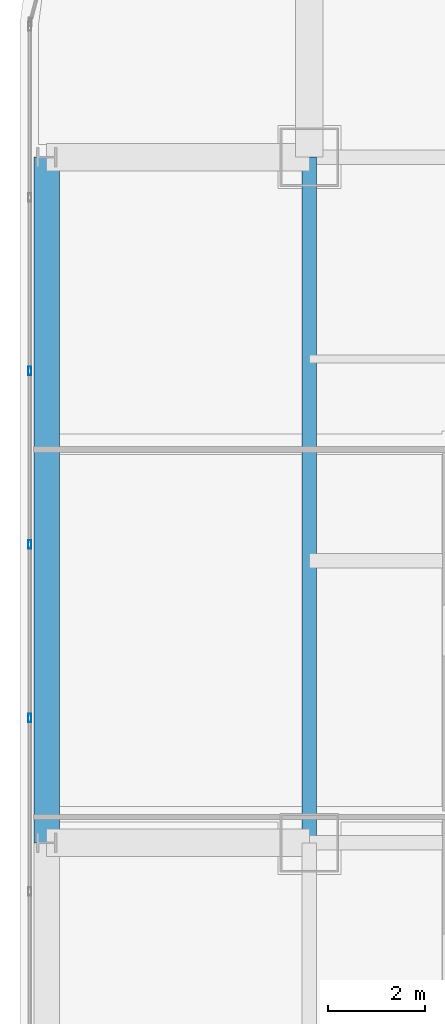
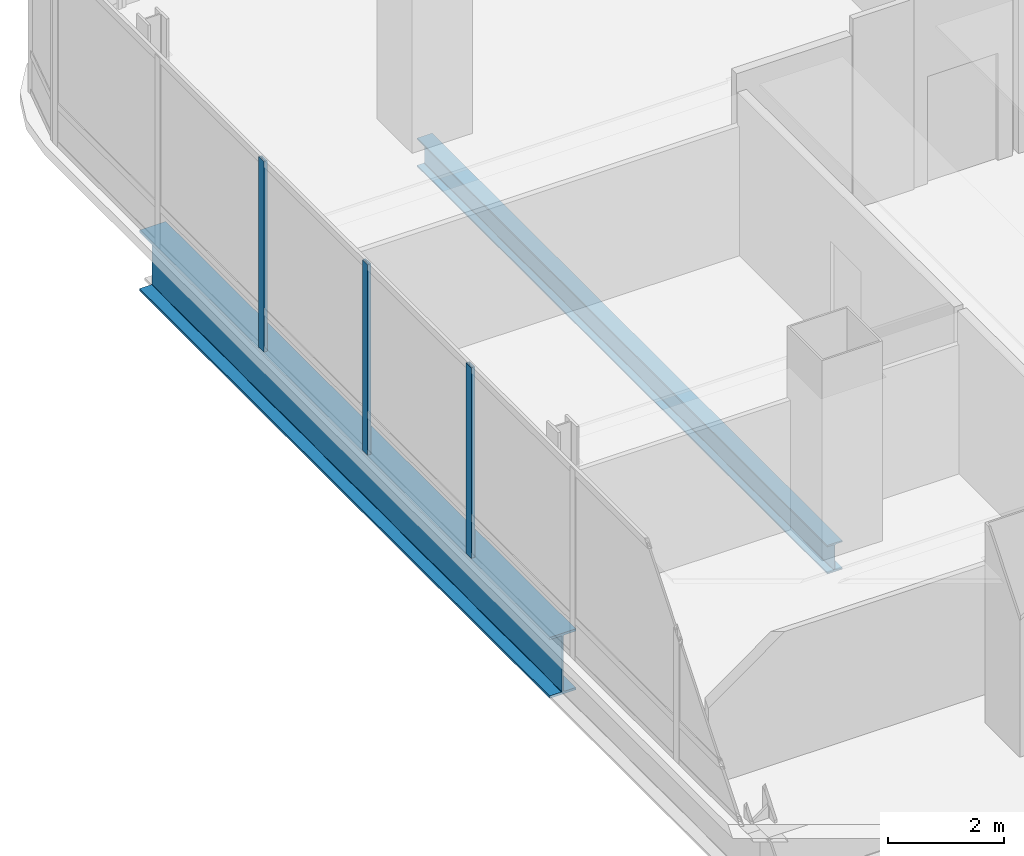
# One storey, part 13 of 42: 3 members, 2 beams, 1 element without a shape of its own.
"""IFC4 building model written with IfcOpenShell, lengths in metres."""

from ifc_helpers import new_model, si_unit, direction, frame, origin, origin_2d, place, context, subcontext, project, spatial, hollow_rectangle, i_section, extrude, material, material_profile, profile_set, type_object, element, aggregate, save


model = new_model("IFC4")

# Units and contexts
model_context = context("Model", 3, precision=1e-05, world=origin(), true_north=direction((0.0, 1.0)))
body_context = subcontext(model_context, "Body", "Model", "MODEL_VIEW")
ifc_project = project(units=[si_unit("LENGTHUNIT", "METRE"), si_unit("AREAUNIT", "SQUARE_METRE"), si_unit("VOLUMEUNIT", "CUBIC_METRE"), si_unit("PLANEANGLEUNIT", "RADIAN"), si_unit("MASSUNIT", "GRAM", prefix="KILO")], contexts=[model_context])

# Site, building, storey
site_placement = place(None, origin())
site = spatial("IfcSite", under=ifc_project, at=site_placement, CompositionType="ELEMENT")
building_placement = place(site_placement, origin())
building = spatial("IfcBuilding", under=site, at=building_placement, Name="Punatoya Terracotta Tower", CompositionType="ELEMENT")
storey_placement = place(building_placement, frame((0.0, 0.0, 296.39990234375)))
storey = spatial("IfcBuildingStorey", under=building, at=storey_placement, Name="L70", CompositionType="ELEMENT", Elevation=296.39990234375)

# Beams
ifc_material_1 = material(Name="Steel S355", Category="steel")
ifc_material_profile_1 = material_profile(ifc_material_1, i_section(OverallWidth=0.300048828125, OverallDepth=0.60009765625, WebThickness=0.015380859375, FlangeThickness=0.030029296875, FilletRadius=0.01806640625, at=origin_2d()))
ifc_profile_set_1 = profile_set([ifc_material_profile_1], Name="Steel S355")
beam_type_1 = type_object("IfcBeamType", Name="BM-PRI-600", PredefinedType="BEAM", material=ifc_profile_set_1)
beam_1_placement = place(storey_placement, frame((-19.10009765625, 3.39990234375, -0.5), z_axis=(0.0, 1.0, 0.0), x_axis=(-1.0, 0.0, 0.0)))
element("IfcBeam", 1, at=beam_1_placement, inside=storey, type_object=beam_type_1, Name="BM-L70-RG-W3", PredefinedType="BEAM", context=body_context, shape_type="SweptSolid", body=[
    extrude(i_section(OverallWidth=0.300048828125, OverallDepth=0.60009765625, WebThickness=0.015380859375, FlangeThickness=0.030029296875, FilletRadius=0.01806640625, at=origin_2d()), origin(), (0.0, 0.0, 1.0), 14.10009765625),
])
ifc_material_2 = material(Name="Steel S460", Category="steel")
ifc_material_profile_2 = material_profile(ifc_material_2, i_section(OverallWidth=0.52001953125, OverallDepth=1.280029296875, WebThickness=0.031982421875, FlangeThickness=0.050048828125, FilletRadius=0.01806640625, at=origin_2d()))
ifc_profile_set_2 = profile_set([ifc_material_profile_2], Name="Steel S460")
beam_type_2 = type_object("IfcBeamType", Name="BM-TG-NCK", PredefinedType="BEAM", material=ifc_profile_set_2)
beam_2_placement = place(storey_placement, frame((-24.5, 3.39990234375, -0.83984375), z_axis=(0.0, 1.0, 0.0), x_axis=(-1.0, 0.0, 0.0)))
element("IfcBeam", 2, at=beam_2_placement, inside=storey, type_object=beam_type_2, Name="BM-L70-PER-W3", PredefinedType="BEAM", context=body_context, shape_type="SweptSolid", body=[
    extrude(i_section(OverallWidth=0.52001953125, OverallDepth=1.280029296875, WebThickness=0.031982421875, FlangeThickness=0.050048828125, FilletRadius=0.01806640625, at=origin_2d()), origin(), (0.0, 0.0, 1.0), 14.10009765625),
])

# Curtain wall, members
ifc_material_3 = material(Name="Aluminium 6063-T6 + Double Low-E Glass", Category="aluminium")
curtain_wall_type = type_object("IfcCurtainWallType", Name="CW-M3", PredefinedType="NOTDEFINED", material=ifc_material_3)
curtain_wall_placement = place(storey_placement, origin())
curtain_wall = element("IfcCurtainWall", 3, at=curtain_wall_placement, inside=storey, type_object=curtain_wall_type, Name="L70 Curtain Wall CW-L70-W13-1", PredefinedType="NOTDEFINED")
ifc_material_4 = material(Name="Aluminium 6063-T6", Category="aluminium")
ifc_material_profile_3 = material_profile(ifc_material_4, hollow_rectangle(XDim=0.070068359375, YDim=0.179931640625, WallThickness=0.00390625, at=origin_2d()))
ifc_profile_set_3 = profile_set([ifc_material_profile_3], Name="Aluminium 6063-T6")
member_type = type_object("IfcMemberType", Name="CW-MUL-M3", PredefinedType="MULLION", material=ifc_profile_set_3)
member_1_placement = place(storey_placement, frame((-24.85009765625, 13.10205078125, 0.0), z_axis=(0.0, 0.0, 1.0), x_axis=(1.0, 0.0, 0.0)))
member_1 = element("IfcMember", 4, at=member_1_placement, type_object=member_type, Name="CW-L70-W13-1 Mullion 02", PredefinedType="MULLION", context=body_context, shape_type="SweptSolid", body=[
    extrude(hollow_rectangle(XDim=0.070068359375, YDim=0.179931640625, WallThickness=0.00390625, at=origin_2d()), origin(), (0.0, 0.0, 1.0), 4.0),
])
member_2_placement = place(storey_placement, frame((-24.85009765625, 9.534912109375, 0.0), z_axis=(0.0, 0.0, 1.0), x_axis=(1.0, 0.0, 0.0)))
member_2 = element("IfcMember", 5, at=member_2_placement, type_object=member_type, Name="CW-L70-W13-1 Mullion 03", PredefinedType="MULLION", context=body_context, shape_type="SweptSolid", body=[
    extrude(hollow_rectangle(XDim=0.070068359375, YDim=0.179931640625, WallThickness=0.00390625, at=origin_2d()), origin(), (0.0, 0.0, 1.0), 4.0),
])
member_3_placement = place(storey_placement, frame((-24.85009765625, 5.96728515625, 0.0), z_axis=(0.0, 0.0, 1.0), x_axis=(1.0, 0.0, 0.0)))
member_3 = element("IfcMember", 6, at=member_3_placement, type_object=member_type, Name="CW-L70-W13-1 Mullion 04", PredefinedType="MULLION", context=body_context, shape_type="SweptSolid", body=[
    extrude(hollow_rectangle(XDim=0.070068359375, YDim=0.179931640625, WallThickness=0.00390625, at=origin_2d()), origin(), (0.0, 0.0, 1.0), 4.0),
])
aggregate(curtain_wall, [member_1, member_2, member_3])

save(model, "model.ifc")
